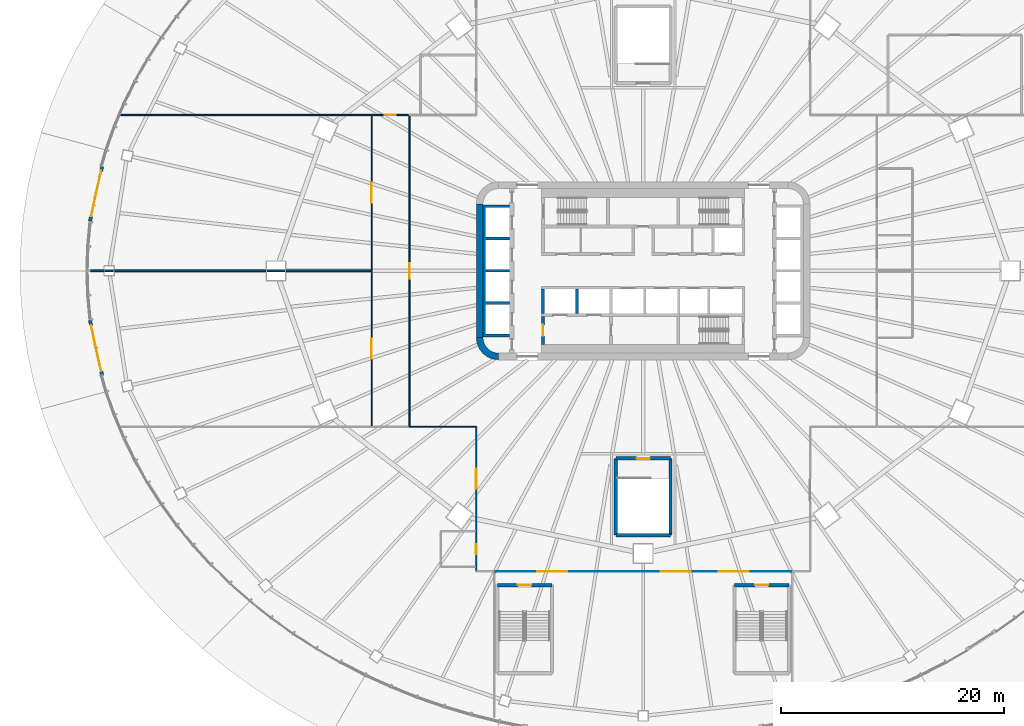
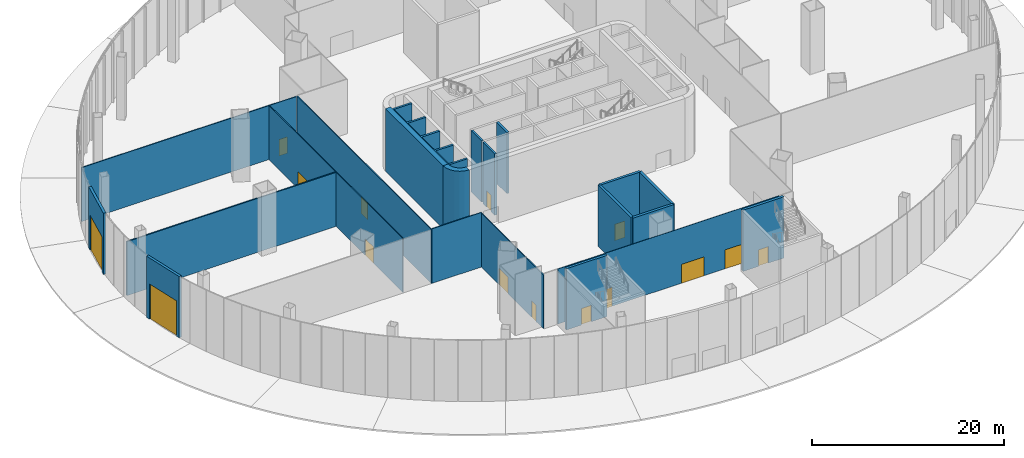
# One storey, part 16 of 36: 21 walls, 15 doors, 15 openings.
"""IFC4 building model written with IfcOpenShell, lengths in metres."""

from ifc_helpers import new_model, si_unit, direction, frame, frame_2d, origin, place, context, subcontext, project, spatial, polyline, rectangle, outline, extrude, material, layer, layer_set, type_object, element, fill, save


model = new_model("IFC4")

# Units and contexts
model_context = context("Model", 3, precision=1e-05, world=origin(), true_north=direction((0.0, 1.0)))
body_context = subcontext(model_context, "Body", "Model", "MODEL_VIEW")
ifc_project = project(units=[si_unit("LENGTHUNIT", "METRE"), si_unit("AREAUNIT", "SQUARE_METRE"), si_unit("VOLUMEUNIT", "CUBIC_METRE"), si_unit("PLANEANGLEUNIT", "RADIAN"), si_unit("MASSUNIT", "GRAM", prefix="KILO")], contexts=[model_context])

# Site, building, storey
site_placement = place(None, origin())
site = spatial("IfcSite", under=ifc_project, at=site_placement, CompositionType="ELEMENT")
building_placement = place(site_placement, origin())
building = spatial("IfcBuilding", under=site, at=building_placement, Name="Sahrelin Media Tower", CompositionType="ELEMENT")
storey_placement = place(building_placement, origin())
storey = spatial("IfcBuildingStorey", under=building, at=storey_placement, Name="L00", CompositionType="ELEMENT", Elevation=0.0)

# Walls
ifc_material_1 = material(Name="Concrete C60/75", Category="concrete")
ifc_layer_1 = layer(ifc_material_1, 0.60009765625)
ifc_layer_set_1 = layer_set([ifc_layer_1], Name="Core wall 600")
wall_type_1 = type_object("IfcWallType", Name="Core wall 600", PredefinedType="SHEAR", material=ifc_layer_set_1)
wall_1_placement = place(storey_placement, frame((-14.699951171875, -6.0, 0.0), z_axis=(0.0, 0.0, 1.0), x_axis=(0.0, 1.0, 0.0)))
element("IfcWall", 1, at=wall_1_placement, inside=storey, type_object=wall_type_1, Name="Core wall W L00", PredefinedType="SHEAR", context=body_context, shape_type="SweptSolid", body=[
    extrude(rectangle(XDim=12.0, YDim=0.60009765625, at=frame_2d((6.0, 0.0))), origin(), (0.0, 0.0, 1.0), 8.0),
])
placement = place(storey_placement, origin())
element("IfcWall", 2, at=placement, inside=storey, type_object=wall_type_1, Name="Core wall corner SW L00", PredefinedType="SHEAR", context=body_context, shape_type="SweptSolid", body=[
    extrude(outline(polyline([(-13.0, -8.0), (-13.0, -7.394775390625), (-13.361083984375, -7.347412109375), (-13.697509765625, -7.2080078125), (-13.986328125, -6.986328125), (-14.2080078125, -6.697509765625), (-14.347412109375, -6.361083984375), (-14.394775390625, -6.0), (-15.0, -6.0), (-14.931884765625, -6.517578125), (-14.732177734375, -7.0), (-14.414306640625, -7.414306640625), (-14.0, -7.732177734375), (-13.517578125, -7.931884765625), (-13.0, -8.0)])), origin(), (0.0, 0.0, 1.0), 8.0),
])

# Wall, opening, door
ifc_material_2 = material(Name="Concrete C40/50", Category="concrete")
ifc_layer_2 = layer(ifc_material_2, 0.300048828125)
ifc_layer_set_2 = layer_set([ifc_layer_2], Name="Entrance pier wall")
wall_type_2 = type_object("IfcWallType", Name="Entrance pier wall", PredefinedType="SOLIDWALL", material=ifc_layer_set_2)
wall_3_placement = place(storey_placement, frame((-48.615966796875, 9.408935546875, 0.0), z_axis=(0.0, 0.0, 1.0), x_axis=(-0.215417103225, -0.976522130644, 0.0)))
wall_3 = element("IfcWall", 3, at=wall_3_placement, inside=storey, type_object=wall_type_2, Name="Entrance pier wall S1", PredefinedType="SOLIDWALL", context=body_context, shape_type="SweptSolid", body=[
    extrude(rectangle(XDim=5.056884765625, YDim=0.300048828125, at=frame_2d((2.5283203125, 0.0))), origin(), (0.0, 0.0, 1.0), 7.800048828125),
])
opening_1_placement = place(wall_3_placement, frame((0.39990234375, 0.0, 0.0)))
opening_1 = element("IfcOpeningElement", 4, at=opening_1_placement, cuts=wall_3, Name="Opening L00-D73", PredefinedType="OPENING", context=body_context, shape_type="SweptSolid", body=[
    extrude(rectangle(XDim=4.199951171875, YDim=4.5, at=frame_2d((2.10009765625, 2.25))), frame((0.0, 0.14990234375, 0.0), z_axis=(0.0, -1.0, 0.0), x_axis=(1.0, 0.0, 0.0)), (0.0, 0.0, 1.0), 0.300048828125),
])
ifc_material_3 = material(Name="Champagne anodised aluminium 6063-T6", Category="aluminium")
door_type_1 = type_object("IfcDoorType", Name="Roller shutter door 4200x4500", OperationType="ROLLINGUP", PredefinedType="DOOR", material=ifc_material_3)
door_1_placement = place(opening_1_placement, origin())
door_1 = element("IfcDoor", 5, at=door_1_placement, inside=storey, type_object=door_type_1, Name="L00:DOOR:S1", OperationType="ROLLINGUP", OverallHeight=4.5, OverallWidth=4.199951171875, PredefinedType="DOOR", context=body_context, shape_type="SweptSolid", body=[
    extrude(rectangle(XDim=4.199951171875, YDim=4.5, at=frame_2d((2.10009765625, 2.25))), frame((0.0, 0.02490234375, 0.0), z_axis=(0.0, -1.0, 0.0), x_axis=(1.0, 0.0, 0.0)), (0.0, 0.0, 1.0), 0.050048828125),
])
fill(opening_1, door_1)

wall_4_placement = place(storey_placement, frame((-49.708984375, -4.45458984375, 0.0), z_axis=(0.0, 0.0, 1.0), x_axis=(0.215437323612, -0.976517669883, 0.0)))
wall_4 = element("IfcWall", 6, at=wall_4_placement, inside=storey, type_object=wall_type_2, Name="Entrance pier wall S2", PredefinedType="SOLIDWALL", context=body_context, shape_type="SweptSolid", body=[
    extrude(rectangle(XDim=5.073486328125, YDim=0.300048828125, at=frame_2d((2.53662109375, 0.0))), origin(), (0.0, 0.0, 1.0), 7.800048828125),
])
opening_2_placement = place(wall_4_placement, frame((0.4736328125, 0.0, 0.0)))
opening_2 = element("IfcOpeningElement", 7, at=opening_2_placement, cuts=wall_4, Name="Opening L00-D74", PredefinedType="OPENING", context=body_context, shape_type="SweptSolid", body=[
    extrude(rectangle(XDim=4.199951171875, YDim=4.5, at=frame_2d((2.10009765625, 2.25))), frame((0.0, 0.14990234375, 0.0), z_axis=(0.0, -1.0, 0.0), x_axis=(1.0, 0.0, 0.0)), (0.0, 0.0, 1.0), 0.300048828125),
])
door_2_placement = place(opening_2_placement, origin())
door_2 = element("IfcDoor", 8, at=door_2_placement, inside=storey, type_object=door_type_1, Name="L00:DOOR:S2", OperationType="ROLLINGUP", OverallHeight=4.5, OverallWidth=4.199951171875, PredefinedType="DOOR", context=body_context, shape_type="SweptSolid", body=[
    extrude(rectangle(XDim=4.199951171875, YDim=4.5, at=frame_2d((2.10009765625, 2.25))), frame((0.0, 0.02490234375, 0.0), z_axis=(0.0, -1.0, 0.0), x_axis=(1.0, 0.0, 0.0)), (0.0, 0.0, 1.0), 0.050048828125),
])
fill(opening_2, door_2)

# Wall
ifc_material_4 = material(Name="Fire-rated gypsum board partition")
ifc_layer_3 = layer(ifc_material_4, 0.14990234375)
ifc_layer_set_3 = layer_set([ifc_layer_3], Name="Fire-rated partition 150")
wall_type_3 = type_object("IfcWallType", Name="Fire-rated partition 150", PredefinedType="PARTITIONING", material=ifc_layer_set_3)
wall_5_placement = place(storey_placement, frame((-49.64990234375, 0.0, 0.0), z_axis=(0.0, 0.0, 1.0), x_axis=(1.0, 0.0, 0.0)))
element("IfcWall", 9, at=wall_5_placement, inside=storey, type_object=wall_type_3, Name="Wall", PredefinedType="PARTITIONING", context=body_context, shape_type="SweptSolid", body=[
    extrude(rectangle(XDim=25.199951171875, YDim=0.14990234375, at=frame_2d((12.60009765625, 0.0))), origin(), (0.0, 0.0, 1.0), 6.876953125),
])

# Wall, opening, door
ifc_layer_4 = layer(ifc_material_4, 0.25)
ifc_layer_set_4 = layer_set([ifc_layer_4], Name="Firefighting lobby wall 250")
wall_type_4 = type_object("IfcWallType", Name="Firefighting lobby wall 250", PredefinedType="PARTITIONING", material=ifc_layer_set_4)
wall_6_placement = place(storey_placement, frame((-9.0, -6.60009765625, 0.0), z_axis=(0.0, 0.0, 1.0), x_axis=(0.0, 1.0, 0.0)))
wall_6 = element("IfcWall", 10, at=wall_6_placement, inside=storey, type_object=wall_type_4, Name="Core wall", PredefinedType="PARTITIONING", context=body_context, shape_type="SweptSolid", body=[
    extrude(rectangle(XDim=2.5, YDim=0.25, at=frame_2d((1.25, 0.0))), origin(), (0.0, 0.0, 1.0), 7.800048828125),
])
opening_3_placement = place(wall_6_placement, frame((0.75, 0.0, 0.0)))
opening_3 = element("IfcOpeningElement", 11, at=opening_3_placement, cuts=wall_6, Name="Opening L00-D04", PredefinedType="OPENING", context=body_context, shape_type="SweptSolid", body=[
    extrude(rectangle(XDim=1.0, YDim=2.10009765625, at=frame_2d((0.5, 1.050048828125))), frame((0.0, 0.125, 0.0), z_axis=(0.0, -1.0, 0.0), x_axis=(1.0, 0.0, 0.0)), (0.0, 0.0, 1.0), 0.25),
])
ifc_material_5 = material(Name="Steel fire door leaf", Category="steel")
door_type_2 = type_object("IfcDoorType", Name="Firefighting lobby door 1000 x 2100 EI 120", OperationType="NOTDEFINED", PredefinedType="DOOR", material=ifc_material_5)
door_3_placement = place(opening_3_placement, origin())
door_3 = element("IfcDoor", 12, at=door_3_placement, inside=storey, type_object=door_type_2, Name="Firefighting lobby door", OperationType="SINGLE_SWING_LEFT", OverallHeight=2.10009765625, OverallWidth=1.0, PredefinedType="DOOR", context=body_context, shape_type="SweptSolid", body=[
    extrude(rectangle(XDim=1.0, YDim=2.10009765625, at=frame_2d((0.5, 1.050048828125))), frame((0.0, 0.02490234375, 0.0), z_axis=(0.0, -1.0, 0.0), x_axis=(1.0, 0.0, 0.0)), (0.0, 0.0, 1.0), 0.050048828125),
])
fill(opening_3, door_3)

# Wall, openings, doors
ifc_material_6 = material(Name="Clear glass", Category="glass")
ifc_layer_5 = layer(ifc_material_6, 0.050048828125)
ifc_layer_set_5 = layer_set([ifc_layer_5], Name="Glazed partition 50")
wall_type_5 = type_object("IfcWallType", Name="Glazed partition 50", PredefinedType="PARTITIONING", material=ifc_layer_set_5)
wall_7_placement = place(storey_placement, frame((-13.30419921875, -27.0, 0.0), z_axis=(0.0, 0.0, 1.0), x_axis=(1.0, 0.0, 0.0)))
wall_7 = element("IfcWall", 13, at=wall_7_placement, inside=storey, type_object=wall_type_5, Name="Wall", PredefinedType="PARTITIONING", context=body_context, shape_type="SweptSolid", body=[
    extrude(rectangle(XDim=26.6083984375, YDim=0.050048828125, at=frame_2d((13.30419921875, 0.0))), origin(), (0.0, 0.0, 1.0), 7.02587890625),
])
opening_4_placement = place(wall_7_placement, frame((3.7958984375, 0.0, 0.0)))
opening_4 = element("IfcOpeningElement", 14, at=opening_4_placement, cuts=wall_7, Name="Opening L00-D20", PredefinedType="OPENING", context=body_context, shape_type="SweptSolid", body=[
    extrude(rectangle(XDim=2.699951171875, YDim=2.39990234375, at=frame_2d((1.35009765625, 1.199951171875))), frame((0.0, 0.02490234375, 0.0), z_axis=(0.0, -1.0, 0.0), x_axis=(1.0, 0.0, 0.0)), (0.0, 0.0, 1.0), 0.050048828125),
])
opening_5_placement = place(wall_7_placement, frame((14.867919921875, 0.0, 0.0)))
opening_5 = element("IfcOpeningElement", 15, at=opening_5_placement, cuts=wall_7, Name="Opening L00-D22", PredefinedType="OPENING", context=body_context, shape_type="SweptSolid", body=[
    extrude(rectangle(XDim=2.699951171875, YDim=2.39990234375, at=frame_2d((1.35009765625, 1.199951171875))), frame((0.0, 0.02490234375, 0.0), z_axis=(0.0, -1.0, 0.0), x_axis=(1.0, 0.0, 0.0)), (0.0, 0.0, 1.0), 0.050048828125),
])
opening_6_placement = place(wall_7_placement, frame((20.112060546875, 0.0, 0.0)))
opening_6 = element("IfcOpeningElement", 16, at=opening_6_placement, cuts=wall_7, Name="Opening L00-D24", PredefinedType="OPENING", context=body_context, shape_type="SweptSolid", body=[
    extrude(rectangle(XDim=2.699951171875, YDim=2.39990234375, at=frame_2d((1.35009765625, 1.199951171875))), frame((0.0, 0.02490234375, 0.0), z_axis=(0.0, -1.0, 0.0), x_axis=(1.0, 0.0, 0.0)), (0.0, 0.0, 1.0), 0.050048828125),
])
door_type_3 = type_object("IfcDoorType", Name="Automatic sliding door 2700 x 2400", OperationType="DOUBLE_DOOR_SLIDING", PredefinedType="DOOR", material=ifc_material_6)
door_4_placement = place(opening_4_placement, origin())
door_4 = element("IfcDoor", 17, at=door_4_placement, inside=storey, type_object=door_type_3, Name="Automatic sliding door", OperationType="DOUBLE_DOOR_SLIDING", OverallHeight=2.39990234375, OverallWidth=2.699951171875, PredefinedType="DOOR", context=body_context, shape_type="SweptSolid", body=[
    extrude(rectangle(XDim=2.699951171875, YDim=2.39990234375, at=frame_2d((1.35009765625, 1.199951171875))), frame((0.0, 0.02490234375, 0.0), z_axis=(0.0, -1.0, 0.0), x_axis=(1.0, 0.0, 0.0)), (0.0, 0.0, 1.0), 0.049560546875),
])
fill(opening_4, door_4)
door_5_placement = place(opening_5_placement, origin())
door_5 = element("IfcDoor", 18, at=door_5_placement, inside=storey, type_object=door_type_3, Name="Automatic sliding door", OperationType="DOUBLE_DOOR_SLIDING", OverallHeight=2.39990234375, OverallWidth=2.699951171875, PredefinedType="DOOR", context=body_context, shape_type="SweptSolid", body=[
    extrude(rectangle(XDim=2.699951171875, YDim=2.39990234375, at=frame_2d((1.35009765625, 1.199951171875))), frame((0.0, 0.02490234375, 0.0), z_axis=(0.0, -1.0, 0.0), x_axis=(1.0, 0.0, 0.0)), (0.0, 0.0, 1.0), 0.049560546875),
])
fill(opening_5, door_5)
door_6_placement = place(opening_6_placement, origin())
door_6 = element("IfcDoor", 19, at=door_6_placement, inside=storey, type_object=door_type_3, Name="Automatic sliding door", OperationType="DOUBLE_DOOR_SLIDING", OverallHeight=2.39990234375, OverallWidth=2.699951171875, PredefinedType="DOOR", context=body_context, shape_type="SweptSolid", body=[
    extrude(rectangle(XDim=2.699951171875, YDim=2.39990234375, at=frame_2d((1.35009765625, 1.199951171875))), frame((0.0, 0.02490234375, 0.0), z_axis=(0.0, -1.0, 0.0), x_axis=(1.0, 0.0, 0.0)), (0.0, 0.0, 1.0), 0.049560546875),
])
fill(opening_6, door_6)

# Walls
ifc_layer_6 = layer(ifc_material_1, 0.25)
ifc_layer_set_6 = layer_set([ifc_layer_6], Name="Lift shaft wall 250")
wall_type_6 = type_object("IfcWallType", Name="Lift shaft wall 250", PredefinedType="SOLIDWALL", material=ifc_layer_set_6)
for number, where, z_axis, x_axis, name in (
    (20, (-9.0, -3.85009765625, 0.0), (0.0, 0.0, 1.0), (0.0, 1.0, 0.0), "Lift shaft wall"),
    (21, (-5.949951171875, -3.85009765625, 0.0), (0.0, 0.0, 1.0), (0.0, 1.0, 0.0), "Lift shaft wall"),
):
    element("IfcWall", number, at=place(storey_placement, frame(where, z_axis=z_axis, x_axis=x_axis)), inside=storey, type_object=wall_type_6, Name=name, PredefinedType="SOLIDWALL", context=body_context, shape_type="SweptSolid", body=[
        extrude(rectangle(XDim=2.2001953125, YDim=0.25, at=frame_2d((1.10009765625, 0.0))), origin(), (0.0, 0.0, 1.0), 7.800048828125),
    ])
element("IfcWall", 22, at=placement, inside=storey, type_object=wall_type_6, Name="Lift shaft wall", PredefinedType="SOLIDWALL", context=body_context, shape_type="SweptSolid", body=[
    extrude(outline(polyline([(-12.0, -5.925048828125), (-12.0, -5.675048828125), (-14.14990234375, -5.675048828125), (-14.14990234375, -3.02490234375), (-12.0, -3.02490234375), (-12.0, -2.77490234375), (-14.14990234375, -2.77490234375), (-14.14990234375, -0.125), (-12.0, -0.125), (-12.0, 0.125), (-14.14990234375, 0.125), (-14.14990234375, 2.77490234375), (-12.0, 2.77490234375), (-12.0, 3.02490234375), (-14.14990234375, 3.02490234375), (-14.14990234375, 5.675048828125), (-12.0, 5.675048828125), (-12.0, 5.925048828125), (-14.14990234375, 5.925048828125), (-14.39990234375, 5.925048828125), (-14.39990234375, 5.675048828125), (-14.39990234375, 3.02490234375), (-14.39990234375, 2.77490234375), (-14.39990234375, 0.125), (-14.39990234375, -0.125), (-14.39990234375, -2.77490234375), (-14.39990234375, -3.02490234375), (-14.39990234375, -5.675048828125), (-14.39990234375, -5.925048828125), (-14.14990234375, -5.925048828125), (-12.0, -5.925048828125)])), origin(), (0.0, 0.0, 1.0), 7.800048828125),
])

# Wall, opening, door
ifc_material_7 = material(Name="Gypsum board partition")
ifc_layer_7 = layer(ifc_material_7, 0.10009765625)
ifc_layer_set_7 = layer_set([ifc_layer_7], Name="Partition 100")
wall_type_7 = type_object("IfcWallType", Name="Partition 100", PredefinedType="PARTITIONING", material=ifc_layer_set_7)
wall_9_placement = place(storey_placement, frame((-21.0, 14.0, 0.0), z_axis=(0.0, 0.0, 1.0), x_axis=(0.0, -1.0, 0.0)))
wall_9 = element("IfcWall", 23, at=wall_9_placement, inside=storey, type_object=wall_type_7, Name="Wall", PredefinedType="PARTITIONING", context=body_context, shape_type="SweptSolid", body=[
    extrude(rectangle(XDim=28.0, YDim=0.10009765625, at=frame_2d((14.0, 0.0))), origin(), (0.0, 0.0, 1.0), 6.876953125),
])
opening_7_placement = place(wall_9_placement, frame((13.300048828125, 0.0, 0.0)))
opening_7 = element("IfcOpeningElement", 24, at=opening_7_placement, cuts=wall_9, Name="Opening L00-D36", PredefinedType="OPENING", context=body_context, shape_type="SweptSolid", body=[
    extrude(rectangle(XDim=1.39990234375, YDim=2.10009765625, at=frame_2d((0.699951171875, 1.050048828125))), frame((0.0, 0.050048828125, 0.0), z_axis=(0.0, -1.0, 0.0), x_axis=(1.0, 0.0, 0.0)), (0.0, 0.0, 1.0), 0.10009765625),
])
ifc_material_8 = material(Name="Timber door leaf", Category="wood")
door_type_4 = type_object("IfcDoorType", Name="Single door 1400 x 2100", OperationType="NOTDEFINED", PredefinedType="DOOR", material=ifc_material_8)
door_7_placement = place(opening_7_placement, origin())
door_7 = element("IfcDoor", 25, at=door_7_placement, inside=storey, type_object=door_type_4, Name="Single door", OperationType="SINGLE_SWING_RIGHT", OverallHeight=2.10009765625, OverallWidth=1.39990234375, PredefinedType="DOOR", context=body_context, shape_type="SweptSolid", body=[
    extrude(rectangle(XDim=1.39990234375, YDim=2.10009765625, at=frame_2d((0.699951171875, 1.050048828125))), frame((0.0, 0.02490234375, 0.0), z_axis=(0.0, -1.0, 0.0), x_axis=(1.0, 0.0, 0.0)), (0.0, 0.0, 1.0), 0.050048828125),
])
fill(opening_7, door_7)

# Wall
wall_10_placement = place(storey_placement, frame((-21.0, -14.0, 0.0), z_axis=(0.0, 0.0, 1.0), x_axis=(1.0, 0.0, 0.0)))
element("IfcWall", 26, at=wall_10_placement, inside=storey, type_object=wall_type_7, Name="Wall", PredefinedType="PARTITIONING", context=body_context, shape_type="SweptSolid", body=[
    extrude(rectangle(XDim=6.0, YDim=0.10009765625, at=frame_2d((3.0, 0.0))), origin(), (0.0, 0.0, 1.0), 6.9453125),
])

# Wall, openings, doors
wall_11_placement = place(storey_placement, frame((-15.0, -14.0, 0.0), z_axis=(0.0, 0.0, 1.0), x_axis=(0.0, -1.0, 0.0)))
wall_11 = element("IfcWall", 27, at=wall_11_placement, inside=storey, type_object=wall_type_7, Name="Wall", PredefinedType="PARTITIONING", context=body_context, shape_type="SweptSolid", body=[
    extrude(rectangle(XDim=13.0, YDim=0.10009765625, at=frame_2d((6.5, 0.0))), origin(), (0.0, 0.0, 1.0), 6.8681640625),
])
opening_8_placement = place(wall_11_placement, frame((3.800048828125, 0.0, 0.0)))
opening_8 = element("IfcOpeningElement", 28, at=opening_8_placement, cuts=wall_11, Name="Opening L00-D33", PredefinedType="OPENING", context=body_context, shape_type="SweptSolid", body=[
    extrude(rectangle(XDim=1.800048828125, YDim=2.10009765625, at=frame_2d((0.89990234375, 1.050048828125))), frame((0.0, 0.050048828125, 0.0), z_axis=(0.0, -1.0, 0.0), x_axis=(1.0, 0.0, 0.0)), (0.0, 0.0, 1.0), 0.10009765625),
])
opening_9_placement = place(wall_11_placement, frame((10.550048828125, 0.0, 0.0)))
opening_9 = element("IfcOpeningElement", 29, at=opening_9_placement, cuts=wall_11, Name="Opening L00-D34", PredefinedType="OPENING", context=body_context, shape_type="SweptSolid", body=[
    extrude(rectangle(XDim=0.89990234375, YDim=2.10009765625, at=frame_2d((0.449951171875, 1.050048828125))), frame((0.0, 0.050048828125, 0.0), z_axis=(0.0, -1.0, 0.0), x_axis=(1.0, 0.0, 0.0)), (0.0, 0.0, 1.0), 0.10009765625),
])
door_type_5 = type_object("IfcDoorType", Name="Double door 1800 x 2100", OperationType="DOUBLE_DOOR_SINGLE_SWING", PredefinedType="DOOR", material=ifc_material_8)
door_8_placement = place(opening_8_placement, origin())
door_8 = element("IfcDoor", 30, at=door_8_placement, inside=storey, type_object=door_type_5, Name="Double door", OperationType="DOUBLE_DOOR_SINGLE_SWING", OverallHeight=2.10009765625, OverallWidth=1.800048828125, PredefinedType="DOOR", context=body_context, shape_type="SweptSolid", body=[
    extrude(rectangle(XDim=1.800048828125, YDim=2.10009765625, at=frame_2d((0.89990234375, 1.050048828125))), frame((0.0, 0.02490234375, 0.0), z_axis=(0.0, -1.0, 0.0), x_axis=(1.0, 0.0, 0.0)), (0.0, 0.0, 1.0), 0.050048828125),
])
fill(opening_8, door_8)
door_type_6 = type_object("IfcDoorType", Name="Single door 900 x 2100", OperationType="NOTDEFINED", PredefinedType="DOOR", material=ifc_material_8)
door_9_placement = place(opening_9_placement, origin())
door_9 = element("IfcDoor", 31, at=door_9_placement, inside=storey, type_object=door_type_6, Name="Single door", OperationType="SINGLE_SWING_RIGHT", OverallHeight=2.10009765625, OverallWidth=0.89990234375, PredefinedType="DOOR", context=body_context, shape_type="SweptSolid", body=[
    extrude(rectangle(XDim=0.89990234375, YDim=2.10009765625, at=frame_2d((0.449951171875, 1.050048828125))), frame((0.0, 0.02490234375, 0.0), z_axis=(0.0, -1.0, 0.0), x_axis=(1.0, 0.0, 0.0)), (0.0, 0.0, 1.0), 0.050048828125),
])
fill(opening_9, door_9)

# Wall, opening, door
wall_12_placement = place(storey_placement, frame((-21.12060546875, 14.0, 0.0), z_axis=(0.0, 0.0, 1.0), x_axis=(-1.0, 0.0, 0.0)))
wall_12 = element("IfcWall", 32, at=wall_12_placement, inside=storey, type_object=wall_type_7, Name="Wall", PredefinedType="PARTITIONING", context=body_context, shape_type="SweptSolid", body=[
    extrude(rectangle(XDim=25.89990234375, YDim=0.10009765625, at=frame_2d((12.949951171875, 0.0))), origin(), (0.0, 0.0, 1.0), 6.8681640625),
])
opening_10_placement = place(wall_12_placement, frame((1.10009765625, 0.0, 0.0)))
opening_10 = element("IfcOpeningElement", 33, at=opening_10_placement, cuts=wall_12, Name="Opening L00-D39", PredefinedType="OPENING", context=body_context, shape_type="SweptSolid", body=[
    extrude(rectangle(XDim=1.0, YDim=2.10009765625, at=frame_2d((0.5, 1.050048828125))), frame((0.0, 0.050048828125, 0.0), z_axis=(0.0, -1.0, 0.0), x_axis=(1.0, 0.0, 0.0)), (0.0, 0.0, 1.0), 0.10009765625),
])
door_type_7 = type_object("IfcDoorType", Name="Single door 1000 x 2100", OperationType="NOTDEFINED", PredefinedType="DOOR", material=ifc_material_8)
door_10_placement = place(opening_10_placement, origin())
door_10 = element("IfcDoor", 34, at=door_10_placement, inside=storey, type_object=door_type_7, Name="Single door", OperationType="SINGLE_SWING_LEFT", OverallHeight=2.10009765625, OverallWidth=1.0, PredefinedType="DOOR", context=body_context, shape_type="SweptSolid", body=[
    extrude(rectangle(XDim=1.0, YDim=2.10009765625, at=frame_2d((0.5, 1.050048828125))), frame((0.0, 0.02490234375, 0.0), z_axis=(0.0, -1.0, 0.0), x_axis=(1.0, 0.0, 0.0)), (0.0, 0.0, 1.0), 0.050048828125),
])
fill(opening_10, door_10)

# Wall, openings, doors
wall_13_placement = place(storey_placement, frame((-24.39990234375, 13.949951171875, 0.0), z_axis=(0.0, 0.0, 1.0), x_axis=(0.0, -1.0, 0.0)))
wall_13 = element("IfcWall", 35, at=wall_13_placement, inside=storey, type_object=wall_type_7, Name="Wall", PredefinedType="PARTITIONING", context=body_context, shape_type="SweptSolid", body=[
    extrude(rectangle(XDim=27.89990234375, YDim=0.10009765625, at=frame_2d((13.949951171875, 0.0))), origin(), (0.0, 0.0, 1.0), 6.876953125),
])
opening_11_placement = place(wall_13_placement, frame((6.050048828125, 0.0, 0.0)))
opening_11 = element("IfcOpeningElement", 36, at=opening_11_placement, cuts=wall_13, Name="Opening L00-D37", PredefinedType="OPENING", context=body_context, shape_type="SweptSolid", body=[
    extrude(rectangle(XDim=1.800048828125, YDim=2.10009765625, at=frame_2d((0.89990234375, 1.050048828125))), frame((0.0, 0.050048828125, 0.0), z_axis=(0.0, -1.0, 0.0), x_axis=(1.0, 0.0, 0.0)), (0.0, 0.0, 1.0), 0.10009765625),
])
opening_12_placement = place(wall_13_placement, frame((20.050048828125, 0.0, 0.0)))
opening_12 = element("IfcOpeningElement", 37, at=opening_12_placement, cuts=wall_13, Name="Opening L00-D38", PredefinedType="OPENING", context=body_context, shape_type="SweptSolid", body=[
    extrude(rectangle(XDim=1.800048828125, YDim=2.10009765625, at=frame_2d((0.89990234375, 1.050048828125))), frame((0.0, 0.050048828125, 0.0), z_axis=(0.0, -1.0, 0.0), x_axis=(1.0, 0.0, 0.0)), (0.0, 0.0, 1.0), 0.10009765625),
])
door_11_placement = place(opening_11_placement, origin())
door_11 = element("IfcDoor", 38, at=door_11_placement, inside=storey, type_object=door_type_5, Name="Double door", OperationType="DOUBLE_DOOR_SINGLE_SWING", OverallHeight=2.10009765625, OverallWidth=1.800048828125, PredefinedType="DOOR", context=body_context, shape_type="SweptSolid", body=[
    extrude(rectangle(XDim=1.800048828125, YDim=2.10009765625, at=frame_2d((0.89990234375, 1.050048828125))), frame((0.0, 0.02490234375, 0.0), z_axis=(0.0, -1.0, 0.0), x_axis=(1.0, 0.0, 0.0)), (0.0, 0.0, 1.0), 0.050048828125),
])
fill(opening_11, door_11)
door_12_placement = place(opening_12_placement, origin())
door_12 = element("IfcDoor", 39, at=door_12_placement, inside=storey, type_object=door_type_5, Name="Double door", OperationType="DOUBLE_DOOR_SINGLE_SWING", OverallHeight=2.10009765625, OverallWidth=1.800048828125, PredefinedType="DOOR", context=body_context, shape_type="SweptSolid", body=[
    extrude(rectangle(XDim=1.800048828125, YDim=2.10009765625, at=frame_2d((0.89990234375, 1.050048828125))), frame((0.0, 0.02490234375, 0.0), z_axis=(0.0, -1.0, 0.0), x_axis=(1.0, 0.0, 0.0)), (0.0, 0.0, 1.0), 0.050048828125),
])
fill(opening_12, door_12)

# Wall, opening, door
ifc_layer_8 = layer(ifc_material_1, 0.300048828125)
ifc_layer_set_8 = layer_set([ifc_layer_8], Name="Stair enclosure wall 300")
wall_type_8 = type_object("IfcWallType", Name="Stair enclosure wall 300", PredefinedType="SOLIDWALL", material=ifc_layer_set_8)
wall_14_placement = place(storey_placement, frame((-13.10009765625, -28.25, 0.0), z_axis=(0.0, 0.0, 1.0), x_axis=(1.0, 0.0, 0.0)))
wall_14 = element("IfcWall", 40, at=wall_14_placement, inside=storey, type_object=wall_type_8, Name="Stair PS3", PredefinedType="SOLIDWALL", context=body_context, shape_type="SweptSolid", body=[
    extrude(rectangle(XDim=4.900146484375, YDim=0.300048828125, at=frame_2d((2.4501953125, 0.0))), origin(), (0.0, 0.0, 1.0), 7.800048828125),
])
opening_13_placement = place(wall_14_placement, frame((1.85009765625, 0.0, 0.0)))
opening_13 = element("IfcOpeningElement", 41, at=opening_13_placement, cuts=wall_14, Name="Opening L00-D42", PredefinedType="OPENING", context=body_context, shape_type="SweptSolid", body=[
    extrude(rectangle(XDim=1.199951171875, YDim=2.10009765625, at=frame_2d((0.60009765625, 1.050048828125))), frame((0.0, 0.14990234375, 0.0), z_axis=(0.0, -1.0, 0.0), x_axis=(1.0, 0.0, 0.0)), (0.0, 0.0, 1.0), 0.300048828125),
])
door_type_8 = type_object("IfcDoorType", Name="Stair door 1200 x 2100 EI 120", OperationType="NOTDEFINED", PredefinedType="DOOR", material=ifc_material_5)
door_13_placement = place(opening_13_placement, origin())
door_13 = element("IfcDoor", 42, at=door_13_placement, inside=storey, type_object=door_type_8, Name="Stair door", OperationType="SINGLE_SWING_RIGHT", OverallHeight=2.10009765625, OverallWidth=1.199951171875, PredefinedType="DOOR", context=body_context, shape_type="SweptSolid", body=[
    extrude(rectangle(XDim=1.199951171875, YDim=2.10009765625, at=frame_2d((0.60009765625, 1.050048828125))), frame((0.0, 0.02490234375, 0.0), z_axis=(0.0, -1.0, 0.0), x_axis=(1.0, 0.0, 0.0)), (0.0, 0.0, 1.0), 0.050048828125),
])
fill(opening_13, door_13)

wall_15_placement = place(storey_placement, frame((8.199951171875, -28.25, 0.0), z_axis=(0.0, 0.0, 1.0), x_axis=(1.0, 0.0, 0.0)))
wall_15 = element("IfcWall", 43, at=wall_15_placement, inside=storey, type_object=wall_type_8, Name="Stair PS4", PredefinedType="SOLIDWALL", context=body_context, shape_type="SweptSolid", body=[
    extrude(rectangle(XDim=4.900146484375, YDim=0.300048828125, at=frame_2d((2.4501953125, 0.0))), origin(), (0.0, 0.0, 1.0), 7.800048828125),
])
opening_14_placement = place(wall_15_placement, frame((1.85009765625, 0.0, 0.0)))
opening_14 = element("IfcOpeningElement", 44, at=opening_14_placement, cuts=wall_15, Name="Opening L00-D43", PredefinedType="OPENING", context=body_context, shape_type="SweptSolid", body=[
    extrude(rectangle(XDim=1.199951171875, YDim=2.10009765625, at=frame_2d((0.60009765625, 1.050048828125))), frame((0.0, 0.14990234375, 0.0), z_axis=(0.0, -1.0, 0.0), x_axis=(1.0, 0.0, 0.0)), (0.0, 0.0, 1.0), 0.300048828125),
])
door_14_placement = place(opening_14_placement, origin())
door_14 = element("IfcDoor", 45, at=door_14_placement, inside=storey, type_object=door_type_8, Name="Stair door", OperationType="SINGLE_SWING_RIGHT", OverallHeight=2.10009765625, OverallWidth=1.199951171875, PredefinedType="DOOR", context=body_context, shape_type="SweptSolid", body=[
    extrude(rectangle(XDim=1.199951171875, YDim=2.10009765625, at=frame_2d((0.60009765625, 1.050048828125))), frame((0.0, 0.02490234375, 0.0), z_axis=(0.0, -1.0, 0.0), x_axis=(1.0, 0.0, 0.0)), (0.0, 0.0, 1.0), 0.050048828125),
])
fill(opening_14, door_14)

# Walls
wall_16_placement = place(storey_placement, frame((2.449951171875, -23.75, 0.0), z_axis=(0.0, 0.0, 1.0), x_axis=(-1.0, 0.0, 0.0)))
element("IfcWall", 46, at=wall_16_placement, inside=storey, type_object=wall_type_8, Name="Stair BS2", PredefinedType="SOLIDWALL", context=body_context, shape_type="SweptSolid", body=[
    extrude(rectangle(XDim=4.89990234375, YDim=0.300048828125, at=frame_2d((2.449951171875, 0.0))), origin(), (0.0, 0.0, 1.0), 7.800048828125),
])
wall_17_placement = place(storey_placement, frame((-2.449951171875, -23.75, 0.0), z_axis=(0.0, 0.0, 1.0), x_axis=(0.0, 1.0, 0.0)))
element("IfcWall", 47, at=wall_17_placement, inside=storey, type_object=wall_type_8, Name="Stair BS2", PredefinedType="SOLIDWALL", context=body_context, shape_type="SweptSolid", body=[
    extrude(rectangle(XDim=6.89990234375, YDim=0.300048828125, at=frame_2d((3.449951171875, 0.0))), origin(), (0.0, 0.0, 1.0), 7.800048828125),
])

# Wall, opening, door
wall_18_placement = place(storey_placement, frame((-2.449951171875, -16.85009765625, 0.0), z_axis=(0.0, 0.0, 1.0), x_axis=(1.0, 0.0, 0.0)))
wall_18 = element("IfcWall", 48, at=wall_18_placement, inside=storey, type_object=wall_type_8, Name="Stair BS2", PredefinedType="SOLIDWALL", context=body_context, shape_type="SweptSolid", body=[
    extrude(rectangle(XDim=4.89990234375, YDim=0.300048828125, at=frame_2d((2.449951171875, 0.0))), origin(), (0.0, 0.0, 1.0), 7.800048828125),
])
opening_15_placement = place(wall_18_placement, frame((1.85009765625, 0.0, 0.0)))
opening_15 = element("IfcOpeningElement", 49, at=opening_15_placement, cuts=wall_18, Name="Opening L00-D45", PredefinedType="OPENING", context=body_context, shape_type="SweptSolid", body=[
    extrude(rectangle(XDim=1.199951171875, YDim=2.10009765625, at=frame_2d((0.60009765625, 1.050048828125))), frame((0.0, 0.14990234375, 0.0), z_axis=(0.0, -1.0, 0.0), x_axis=(1.0, 0.0, 0.0)), (0.0, 0.0, 1.0), 0.300048828125),
])
door_15_placement = place(opening_15_placement, origin())
door_15 = element("IfcDoor", 50, at=door_15_placement, inside=storey, type_object=door_type_8, Name="Stair door", OperationType="SINGLE_SWING_RIGHT", OverallHeight=2.10009765625, OverallWidth=1.199951171875, PredefinedType="DOOR", context=body_context, shape_type="SweptSolid", body=[
    extrude(rectangle(XDim=1.199951171875, YDim=2.10009765625, at=frame_2d((0.60009765625, 1.050048828125))), frame((0.0, 0.02490234375, 0.0), z_axis=(0.0, -1.0, 0.0), x_axis=(1.0, 0.0, 0.0)), (0.0, 0.0, 1.0), 0.050048828125),
])
fill(opening_15, door_15)

# Wall
wall_19_placement = place(storey_placement, frame((2.449951171875, -16.85009765625, 0.0), z_axis=(0.0, 0.0, 1.0), x_axis=(0.0, -1.0, 0.0)))
element("IfcWall", 51, at=wall_19_placement, inside=storey, type_object=wall_type_8, Name="Stair BS2", PredefinedType="SOLIDWALL", context=body_context, shape_type="SweptSolid", body=[
    extrude(rectangle(XDim=6.89990234375, YDim=0.300048828125, at=frame_2d((3.449951171875, 0.0))), origin(), (0.0, 0.0, 1.0), 7.800048828125),
])

save(model, "model.ifc")
